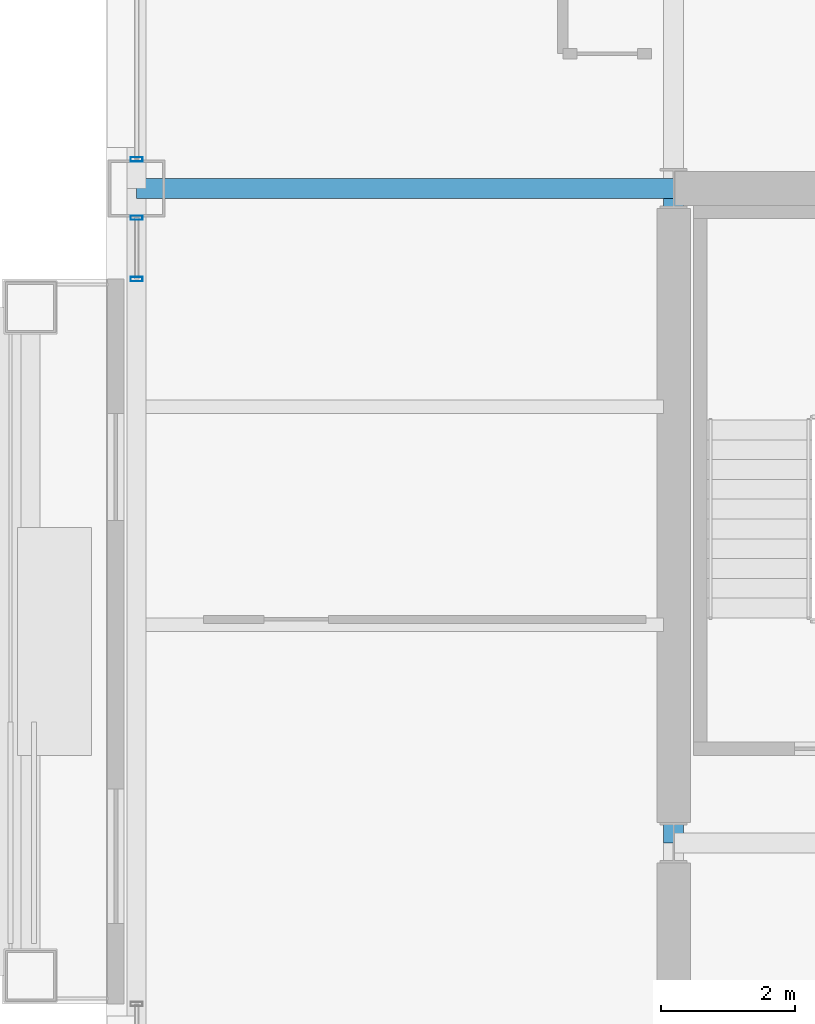
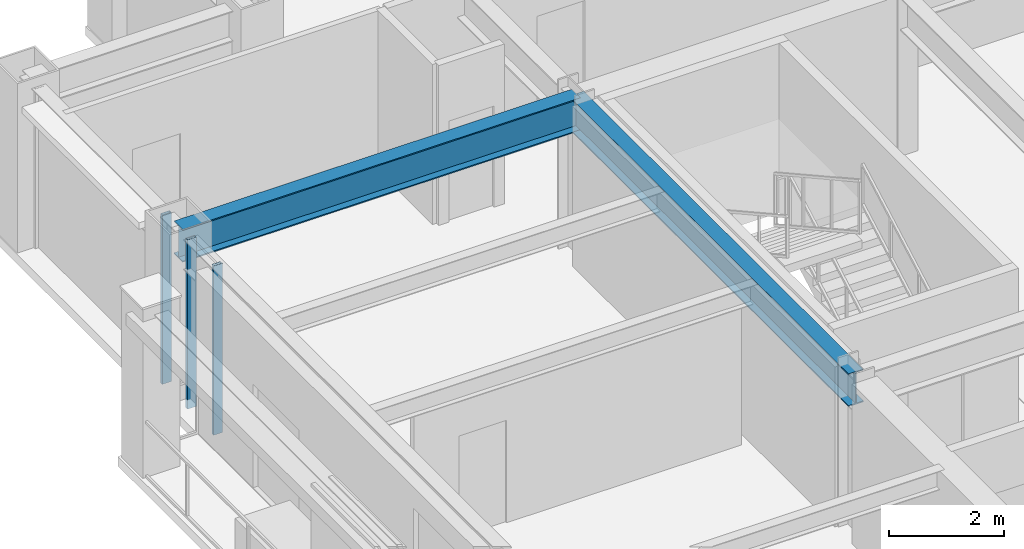
# One storey, part 11 of 31: 3 members, 2 beams, 2 elements without a shape of their own.
"""IFC4 building model written with IfcOpenShell, lengths in metres."""

from ifc_helpers import new_model, si_unit, direction, frame, origin, origin_2d, place, context, subcontext, project, spatial, hollow_rectangle, i_section, extrude, material, layer, layer_set, material_profile, profile_set, type_object, element, aggregate, save


model = new_model("IFC4")

# Units and contexts
model_context = context("Model", 3, precision=1e-05, world=origin(), true_north=direction((0.0, 1.0)))
body_context = subcontext(model_context, "Body", "Model", "MODEL_VIEW")
ifc_project = project(units=[si_unit("LENGTHUNIT", "METRE"), si_unit("AREAUNIT", "SQUARE_METRE"), si_unit("VOLUMEUNIT", "CUBIC_METRE"), si_unit("PLANEANGLEUNIT", "RADIAN"), si_unit("MASSUNIT", "GRAM", prefix="KILO")], contexts=[model_context])

# Site, building, storey
site_placement = place(None, origin())
site = spatial("IfcSite", under=ifc_project, at=site_placement, CompositionType="ELEMENT")
building_placement = place(site_placement, origin())
building = spatial("IfcBuilding", under=site, at=building_placement, Name="Brelmoor Portico Tower", CompositionType="ELEMENT")
storey_placement = place(building_placement, frame((0.0, 0.0, 113.39990234375)))
storey = spatial("IfcBuildingStorey", under=building, at=storey_placement, Name="L29", CompositionType="ELEMENT", Elevation=113.39990234375)

# Beams
ifc_material_1 = material(Name="Steel Q355B", Category="steel")
ifc_material_profile_1 = material_profile(ifc_material_1, i_section(OverallWidth=0.300048828125, OverallDepth=0.699951171875, WebThickness=0.012939453125, FlangeThickness=0.02392578125, at=origin_2d()), Name="HN 700x300x13x24")
ifc_profile_set_1 = profile_set([ifc_material_profile_1], Name="Steel Q355B")
beam_type = type_object("IfcBeamType", Name="BM-PG-700", PredefinedType="BEAM", material=ifc_profile_set_1)
beam_1_placement = place(storey_placement, frame((-14.550048828125, 0.0, 3.050048828125), z_axis=(0.0, 1.0, 0.0), x_axis=(-1.0, 0.0, 0.0)))
element("IfcBeam", 1, at=beam_1_placement, inside=storey, type_object=beam_type, Name="L29 Primary Floor Girder PG-03", PredefinedType="BEAM", context=body_context, shape_type="SweptSolid", body=[
    extrude(i_section(OverallWidth=0.300048828125, OverallDepth=0.699951171875, WebThickness=0.012939453125, FlangeThickness=0.02392578125, at=origin_2d()), origin(), (0.0, 0.0, 1.0), 9.75),
])
beam_2_placement = place(storey_placement, frame((-22.550048828125, 9.75, 3.050048828125), z_axis=(1.0, 0.0, 0.0), x_axis=(0.0, 1.0, 0.0)))
element("IfcBeam", 2, at=beam_2_placement, inside=storey, type_object=beam_type, Name="L29 Primary Floor Girder PG-22", PredefinedType="BEAM", context=body_context, shape_type="SweptSolid", body=[
    extrude(i_section(OverallWidth=0.300048828125, OverallDepth=0.699951171875, WebThickness=0.012939453125, FlangeThickness=0.02392578125, at=origin_2d()), origin(), (0.0, 0.0, 1.0), 8.0),
])

# Curtain wall, members
ifc_material_2 = material(Name="Anodised Aluminium Alloy 6063-T6", Category="aluminium")
ifc_layer_1 = layer(ifc_material_2, 0.179931640625)
ifc_layer_set_1 = layer_set([ifc_layer_1], Name="Anodised Aluminium Alloy 6063-T6")
curtain_wall_type_1 = type_object("IfcCurtainWallType", Name="CW-TOWER-Z2", PredefinedType="NOTDEFINED", material=ifc_layer_set_1)
curtain_wall_1_placement = place(storey_placement, origin())
curtain_wall_1 = element("IfcCurtainWall", 3, at=curtain_wall_1_placement, inside=storey, type_object=curtain_wall_type_1, Name="L29 Curtain Wall CW-L29-3R-1", PredefinedType="NOTDEFINED")
ifc_material_profile_2 = material_profile(ifc_material_2, hollow_rectangle(XDim=0.06494140625, YDim=0.179931640625, WallThickness=0.00390625, at=origin_2d()), Name="ALU MULLION 65x180")
ifc_profile_set_2 = profile_set([ifc_material_profile_2], Name="Anodised Aluminium Alloy 6063-T6")
member_type = type_object("IfcMemberType", Name="MB-CW-MULL-180", PredefinedType="MULLION", material=ifc_profile_set_2)
member_1_placement = place(storey_placement, frame((-22.550048828125, 8.39990234375, -0.199951171875), z_axis=(0.0, 0.0, 1.0), x_axis=(0.0, 1.0, 0.0)))
member_1 = element("IfcMember", 4, at=member_1_placement, type_object=member_type, Name="CW-L29-3R-1 Mullion 00", PredefinedType="MULLION", context=body_context, shape_type="SweptSolid", body=[
    extrude(hollow_rectangle(XDim=0.06494140625, YDim=0.179931640625, WallThickness=0.00390625, at=origin_2d()), origin(), (0.0, 0.0, 1.0), 3.60009765625),
])
member_2_placement = place(storey_placement, frame((-22.550048828125, 9.31494140625, -0.199951171875), z_axis=(0.0, 0.0, 1.0), x_axis=(0.0, 1.0, 0.0)))
member_2 = element("IfcMember", 5, at=member_2_placement, type_object=member_type, Name="CW-L29-3R-1 Mullion 01", PredefinedType="MULLION", context=body_context, shape_type="SweptSolid", body=[
    extrude(hollow_rectangle(XDim=0.06494140625, YDim=0.179931640625, WallThickness=0.00390625, at=origin_2d()), origin(), (0.0, 0.0, 1.0), 3.60009765625),
])
aggregate(curtain_wall_1, [member_1, member_2])

# Curtain wall, member
ifc_layer_2 = layer(ifc_material_2, 0.179931640625)
ifc_layer_set_2 = layer_set([ifc_layer_2], Name="Anodised Aluminium Alloy 6063-T6")
curtain_wall_type_2 = type_object("IfcCurtainWallType", Name="CW-TOWER-Z2-XB", PredefinedType="NOTDEFINED", material=ifc_layer_set_2)
curtain_wall_2_placement = place(storey_placement, origin())
curtain_wall_2 = element("IfcCurtainWall", 6, at=curtain_wall_2_placement, inside=storey, type_object=curtain_wall_type_2, Name="L29 Curtain Wall CW-L29-3R-2", PredefinedType="NOTDEFINED")
member_3_placement = place(storey_placement, frame((-22.550048828125, 10.18505859375, -0.199951171875), z_axis=(0.0, 0.0, 1.0), x_axis=(0.0, 1.0, 0.0)))
member_3 = element("IfcMember", 7, at=member_3_placement, type_object=member_type, Name="CW-L29-3R-2 Mullion 00", PredefinedType="MULLION", context=body_context, shape_type="SweptSolid", body=[
    extrude(hollow_rectangle(XDim=0.06494140625, YDim=0.179931640625, WallThickness=0.00390625, at=origin_2d()), origin(), (0.0, 0.0, 1.0), 3.60009765625),
])
aggregate(curtain_wall_2, [member_3])

save(model, "model.ifc")
